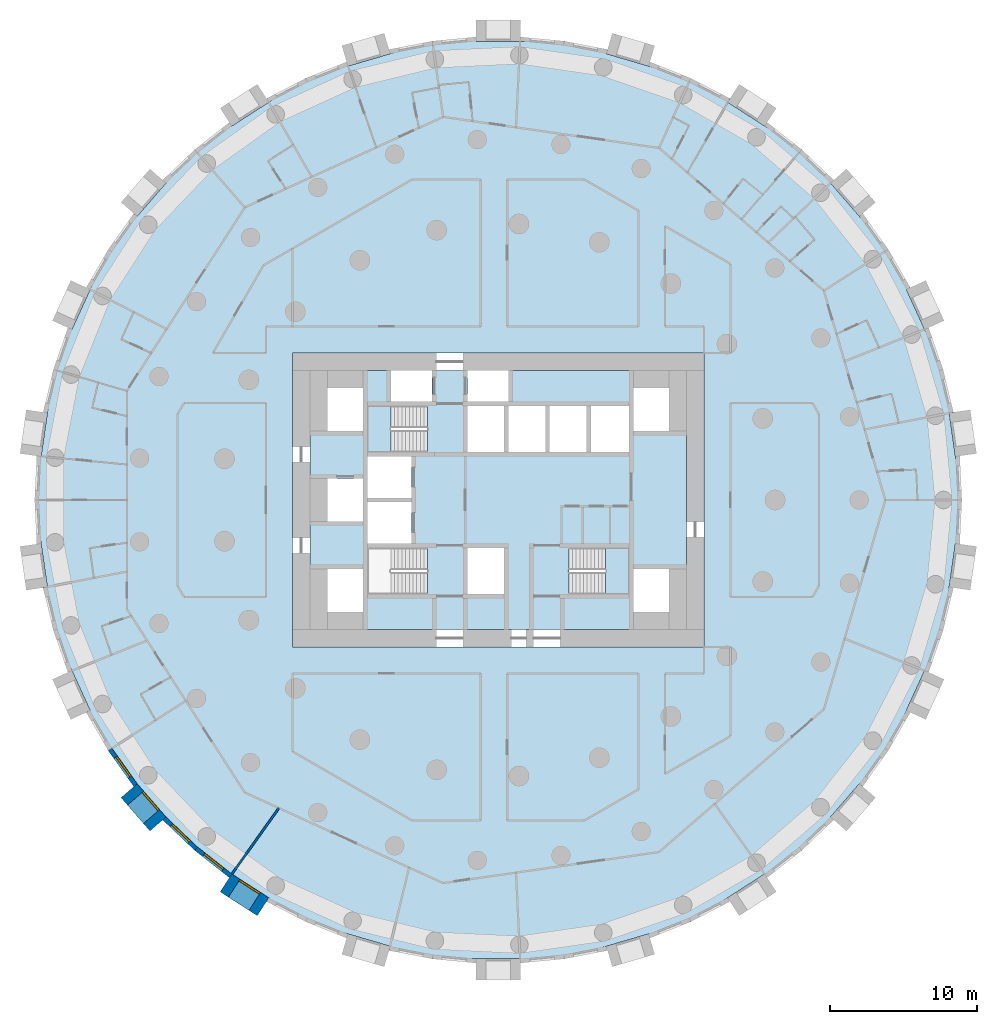
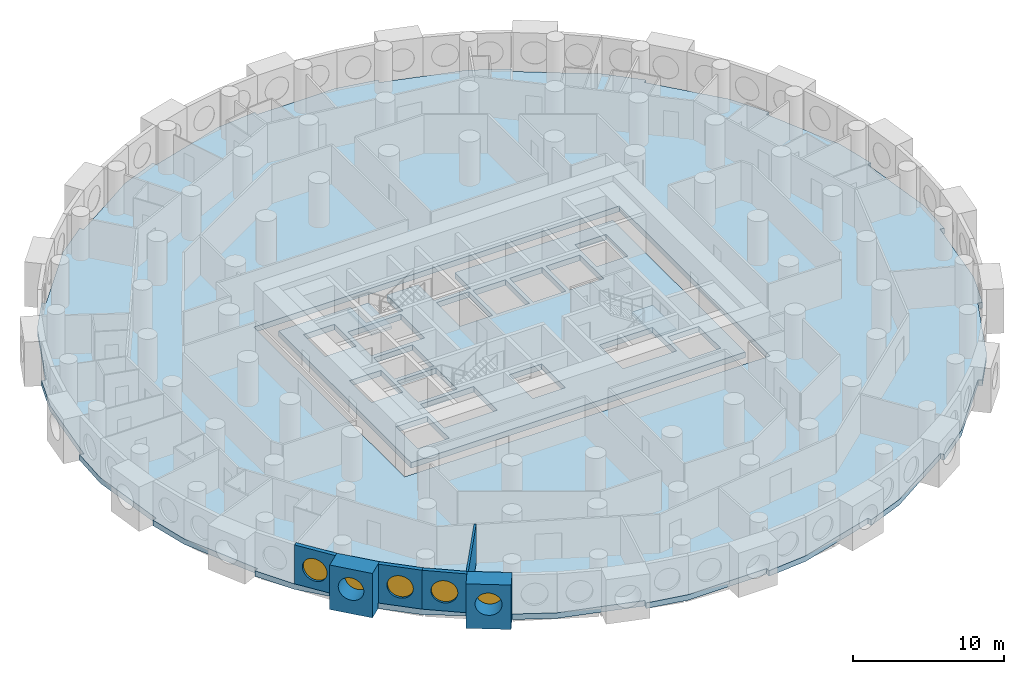
# One storey, part 2 of 12: 6 walls, 5 windows, 4 slabs, 5 openings, 2 elements without a shape of their own.
"""IFC4 building model written with IfcOpenShell, lengths in metres."""

import ifcopenshell
import ifcopenshell.guid

model = None  # the IFC model being written
_history = None  # IfcOwnerHistory: only IFC2X3 demands one
_inside = {}  # id of a spatial element -> (the spatial element, [elements in it])
_under = {}  # id of a project, library or spatial element -> (it, [spatial elements below it])
_declared = {}  # id of a project -> (the project, [libraries it declares])
_typed = {}  # id of a type object -> (the type object, [elements of that type])
_made_of = {}  # id of a material, layer set ... -> (it, [elements and type objects made of it])


def new_model(schema):
    """Start an empty IFC model of exactly this schema.

    Asked for "IFC4X3", IfcOpenShell would pick the latest addendum, in which some entities
    have other attributes; the version numbers below select the first issue.
    IFC2X3 requires an IfcOwnerHistory on every rooted entity: one is made here for all.
    """
    global model, _history
    if schema == "IFC4X3":
        model = ifcopenshell.file(schema_version=(4, 3, 0, 0))
    else:
        model = ifcopenshell.file(schema=schema)
    _inside.clear()
    _under.clear()
    _declared.clear()
    _typed.clear()
    _made_of.clear()
    _history = None
    if model.schema == "IFC2X3":
        org = make("IfcOrganization", Name="unknown")
        user = make(
            "IfcPersonAndOrganization",
            ThePerson=make("IfcPerson", FamilyName="unknown"),
            TheOrganization=org,
        )
        app = make(
            "IfcApplication",
            ApplicationDeveloper=org,
            Version="unknown",
            ApplicationFullName="unknown",
            ApplicationIdentifier="unknown",
        )
        _history = make(
            "IfcOwnerHistory",
            OwningUser=user,
            OwningApplication=app,
            ChangeAction="ADDED",
            CreationDate=0,
        )
    return model


def make(cls, **values):
    """One entity of the class cls with the attributes given. An attribute that is None is left unset."""
    return model.create_entity(
        cls, **{name: value for name, value in values.items() if value is not None}
    )


def rooted(cls, **values):
    """An entity with a GlobalId (a new one), such as an element, a storey or a relation."""
    return make(cls, GlobalId=ifcopenshell.guid.new(), OwnerHistory=_history, **values)


def si_unit(unit_type, name, prefix=None):
    """IfcSIUnit, for example si_unit("LENGTHUNIT", "METRE", prefix="MILLI")."""
    return make("IfcSIUnit", UnitType=unit_type, Prefix=prefix, Name=name)


def assignment(units):
    """IfcUnitAssignment: the units of a project."""
    return None if units is None else make("IfcUnitAssignment", Units=units)


def point(xyz):
    """IfcCartesianPoint."""
    return None if xyz is None else make("IfcCartesianPoint", Coordinates=xyz)


def direction(xyz):
    """IfcDirection."""
    return None if xyz is None else make("IfcDirection", DirectionRatios=xyz)


def frame(location, z_axis=None, x_axis=None):
    """IfcAxis2Placement3D, a coordinate frame: its origin and axes. An axis left out is left unset."""
    return make(
        "IfcAxis2Placement3D",
        Location=point(location),
        Axis=direction(z_axis),
        RefDirection=direction(x_axis),
    )


def frame_2d(location, x_axis=None):
    """IfcAxis2Placement2D, a coordinate frame in the plane: its origin and x axis."""
    return make(
        "IfcAxis2Placement2D", Location=point(location), RefDirection=direction(x_axis)
    )


def origin():
    """The frame at (0, 0, 0) with its axes left unset."""
    return frame((0.0, 0.0, 0.0))


def origin_2d():
    """The frame at (0, 0) in the plane with its x axis left unset."""
    return frame_2d((0.0, 0.0))


def place(relative_to, where):
    """IfcLocalPlacement: puts the frame where relative to a parent placement (None: the world)."""
    return make(
        "IfcLocalPlacement", PlacementRelTo=relative_to, RelativePlacement=where
    )


def context(
    kind, dimensions, precision=None, world=None, true_north=None, identifier=None
):
    """IfcGeometricRepresentationContext, for example the 3D "Model" context."""
    return make(
        "IfcGeometricRepresentationContext",
        ContextIdentifier=identifier,
        ContextType=kind,
        CoordinateSpaceDimension=dimensions,
        Precision=precision,
        WorldCoordinateSystem=world,
        TrueNorth=true_north,
    )


def subcontext(parent, identifier, kind, view, scale=None):
    """IfcGeometricRepresentationSubContext, for example "Body" below "Model"."""
    return make(
        "IfcGeometricRepresentationSubContext",
        ContextIdentifier=identifier,
        ContextType=kind,
        ParentContext=parent,
        TargetScale=scale,
        TargetView=view,
    )


def project(units=None, contexts=None):
    """IfcProject with its units and contexts."""
    return rooted(
        "IfcProject",
        Name="project",
        RepresentationContexts=contexts,
        UnitsInContext=assignment(units),
    )


def spatial(cls, under=None, at=None, **own):
    """A site, building, storey or space (cls), placed at a placement, below another one or the project."""
    s = rooted(cls, ObjectPlacement=at, **own)
    if under is not None:
        _under.setdefault(under.id(), (under, []))[1].append(s)
    return s


def polyline(points):
    """IfcPolyline through the points."""
    return make("IfcPolyline", Points=[point(p) for p in points])


def profile(cls, at=None, kind="AREA", **sizes):
    """A parametric profile (cls). Its sizes go by their IFC names, for example OverallWidth=200.0."""
    return make(cls, ProfileType=kind, Position=at, **sizes)


def rectangle(**sizes):
    """IfcRectangleProfileDef."""
    return profile("IfcRectangleProfileDef", **sizes)


def circle(**sizes):
    """IfcCircleProfileDef."""
    return profile("IfcCircleProfileDef", **sizes)


def outline(outer, holes=None, kind="AREA"):
    """IfcArbitraryClosedProfileDef: a profile drawn as a closed curve; with holes, ...WithVoids."""
    if holes is None:
        return make("IfcArbitraryClosedProfileDef", ProfileType=kind, OuterCurve=outer)
    return make(
        "IfcArbitraryProfileDefWithVoids",
        ProfileType=kind,
        OuterCurve=outer,
        InnerCurves=holes,
    )


def extrude(swept, where, along, depth):
    """IfcExtrudedAreaSolid: the profile swept, set in the frame where, extruded along a direction by depth."""
    return make(
        "IfcExtrudedAreaSolid",
        SweptArea=swept,
        Position=where,
        ExtrudedDirection=direction(along),
        Depth=depth,
    )


def shape(context_of_items, identifier, shape_type, items):
    """IfcShapeRepresentation: the items that make up one representation, for example the "Body"."""
    return make(
        "IfcShapeRepresentation",
        ContextOfItems=context_of_items,
        RepresentationIdentifier=identifier,
        RepresentationType=shape_type,
        Items=items,
    )


def material(Name=None, Category=None):
    """IfcMaterial."""
    return make("IfcMaterial", Name=Name, Category=Category)


def layer(
    of_material, thickness, ventilated=None, Name=None, Category=None, Priority=None
):
    """IfcMaterialLayer: one layer of a wall or slab, of a material (None: an air gap)."""
    return make(
        "IfcMaterialLayer",
        Material=of_material,
        LayerThickness=thickness,
        IsVentilated=ventilated,
        Name=Name,
        Category=Category,
        Priority=Priority,
    )


def layer_set(layers, Name=None):
    """IfcMaterialLayerSet."""
    return make("IfcMaterialLayerSet", MaterialLayers=layers, LayerSetName=Name)


def made_of(thing, what):
    """Note that an element or type object is made of a material, layer set ...; save() writes the relation."""
    if what is not None:
        _made_of.setdefault(what.id(), (what, []))[1].append(thing)
    return thing


def type_object(cls, material=None, **own):
    """A type object (cls), such as IfcWallType, which elements share."""
    return made_of(rooted(cls, **own), material)


def element(
    cls,
    number,
    at=None,
    inside=None,
    cuts=None,
    type_object=None,
    material=None,
    context=None,
    identifier="Body",
    shape_type=None,
    held_by="IfcProductDefinitionShape",
    body=None,
    shapes=None,
    **own,
):
    """One element of the class cls, such as IfcWall. Its Tag is "e" and its number.

    at: its placement. inside: the storey or other place that contains it. cuts: it is an
    opening in that element (IfcRelVoidsElement). A single representation is given by context,
    identifier, shape_type and body (its items); several are given by shapes. held_by: the class
    of the entity that holds the representations. save() writes the other relations.
    """
    e = rooted(cls, Tag="e%d" % number, ObjectPlacement=at, **own)
    if body is not None:
        shapes = [shape(context, identifier, shape_type, body)]
    if shapes is not None:
        e.Representation = make(held_by, Representations=shapes)
    if inside is not None:
        _inside.setdefault(inside.id(), (inside, []))[1].append(e)
    if cuts is not None:
        rooted(
            "IfcRelVoidsElement", RelatingBuildingElement=cuts, RelatedOpeningElement=e
        )
    if type_object is not None:
        _typed.setdefault(type_object.id(), (type_object, []))[1].append(e)
    return made_of(e, material)


def fill(opening, filler):
    """IfcRelFillsElement: the door or window that sits in an opening."""
    return rooted(
        "IfcRelFillsElement",
        RelatingOpeningElement=opening,
        RelatedBuildingElement=filler,
    )


def aggregate(whole, parts):
    """IfcRelAggregates: a whole, such as a stair, and the parts it consists of."""
    return rooted("IfcRelAggregates", RelatingObject=whole, RelatedObjects=parts)


def save(model, path):
    """Write the relations noted so far, then the file.

    IfcRelAggregates (storeys below a building ...), IfcRelContainedInSpatialStructure (elements
    in a storey), IfcRelDefinesByType, IfcRelAssociatesMaterial and IfcRelDeclares: one each for
    every whole, place, type object, material and project.
    """
    for whole, parts in _under.values():
        aggregate(whole, parts)
    for where, things in _inside.values():
        rooted(
            "IfcRelContainedInSpatialStructure",
            RelatedElements=things,
            RelatingStructure=where,
        )
    for kind, things in _typed.values():
        rooted("IfcRelDefinesByType", RelatedObjects=things, RelatingType=kind)
    for what, things in _made_of.values():
        rooted("IfcRelAssociatesMaterial", RelatedObjects=things, RelatingMaterial=what)
    for by, libraries in _declared.values():
        rooted("IfcRelDeclares", RelatingContext=by, RelatedDefinitions=libraries)
    model.write(path)


model = new_model("IFC4")

# Units and contexts
model_context = context("Model", 3, precision=1e-05, world=origin(), true_north=direction((0.0, 1.0)))
body_context = subcontext(model_context, "Body", "Model", "MODEL_VIEW")
ifc_project = project(units=[si_unit("LENGTHUNIT", "METRE"), si_unit("AREAUNIT", "SQUARE_METRE"), si_unit("VOLUMEUNIT", "CUBIC_METRE"), si_unit("PLANEANGLEUNIT", "RADIAN"), si_unit("MASSUNIT", "GRAM", prefix="KILO")], contexts=[model_context])

# Site, building, storey
site_placement = place(None, origin())
site = spatial("IfcSite", under=ifc_project, at=site_placement, CompositionType="ELEMENT")
building_placement = place(site_placement, origin())
building = spatial("IfcBuilding", under=site, at=building_placement, Name="Tracery Tower", CompositionType="ELEMENT")
storey_placement = place(building_placement, frame((0.0, 0.0, 107.39990234375)))
storey = spatial("IfcBuildingStorey", under=building, at=storey_placement, Name="L27", CompositionType="ELEMENT", Elevation=107.39990234375)

# Slabs
ifc_material_1 = material(Name="Concrete C60/75", Category="concrete")
ifc_layer_1 = layer(ifc_material_1, 0.449951171875)
ifc_layer_set_1 = layer_set([ifc_layer_1], Name="Core floor slab 450 C60")
slab_type_1 = type_object("IfcSlabType", Name="Core floor slab 450 C60", PredefinedType="FLOOR", material=ifc_layer_set_1)
slab_1_placement = place(storey_placement, frame((0.0, 0.0, -0.449951171875)))
element("IfcSlab", 1, at=slab_1_placement, inside=storey, type_object=slab_type_1, Name="L27 core floor 1", PredefinedType="FLOOR", context=body_context, shape_type="SweptSolid", body=[
    extrude(outline(polyline([(-12.800048828125, 8.800048828125), (-7.300048828125, 8.800048828125), (-7.300048828125, 6.699951171875), (-4.5, 6.699951171875), (-4.5, 8.800048828125), (-2.10009765625, 8.800048828125), (-2.10009765625, 6.699951171875), (0.699951171875, 6.699951171875), (0.699951171875, 8.800048828125), (12.800048828125, 8.800048828125), (12.800048828125, -8.800048828125), (-12.800048828125, -8.800048828125), (-12.800048828125, 8.800048828125)]), holes=[polyline([(11.60009765625, -7.60009765625), (11.60009765625, -4.699951171875), (9.199951171875, -4.699951171875), (9.199951171875, -7.60009765625), (11.60009765625, -7.60009765625)]), polyline([(11.60009765625, 4.699951171875), (11.60009765625, 7.60009765625), (9.199951171875, 7.60009765625), (9.199951171875, 4.699951171875), (11.60009765625, 4.699951171875)]), polyline([(4.800537109375, -3.25), (4.800537109375, -6.39990234375), (8.89990234375, -6.39990234375), (8.89990234375, -3.25), (4.800537109375, -3.25)]), polyline([(6.300048828125, 3.25), (8.89990234375, 3.25), (8.89990234375, 6.39990234375), (6.300048828125, 6.39990234375), (6.300048828125, 3.25)]), polyline([(3.5, 3.25), (6.0, 3.25), (6.0, 6.39990234375), (3.5, 6.39990234375), (3.5, 3.25)]), polyline([(3.199951171875, 3.25), (3.199951171875, 6.39990234375), (0.699951171875, 6.39990234375), (0.699951171875, 3.25), (3.199951171875, 3.25)]), polyline([(-2.10009765625, 3.25), (0.39990234375, 3.25), (0.39990234375, 6.39990234375), (-2.10009765625, 6.39990234375), (-2.10009765625, 3.25)]), polyline([(0.39990234375, -6.39990234375), (0.39990234375, -3.25), (-2.10009765625, -3.25), (-2.10009765625, -6.39990234375), (0.39990234375, -6.39990234375)]), polyline([(-4.800537109375, -3.25), (-8.89990234375, -3.25), (-8.89990234375, -6.39990234375), (-4.800537109375, -6.39990234375), (-4.800537109375, -3.25)]), polyline([(-4.800537109375, 6.39990234375), (-8.89990234375, 6.39990234375), (-8.89990234375, 3.25), (-4.800537109375, 3.25), (-4.800537109375, 6.39990234375)]), polyline([(-8.89990234375, -2.949951171875), (-5.89990234375, -2.949951171875), (-5.89990234375, -0.14990234375), (-8.89990234375, -0.14990234375), (-8.89990234375, -2.949951171875)]), polyline([(-5.89990234375, 0.14990234375), (-5.89990234375, 2.949951171875), (-8.89990234375, 2.949951171875), (-8.89990234375, 0.14990234375), (-5.89990234375, 0.14990234375)]), polyline([(-11.60009765625, 4.699951171875), (-9.199951171875, 4.699951171875), (-9.199951171875, 7.60009765625), (-11.60009765625, 7.60009765625), (-11.60009765625, 4.699951171875)]), polyline([(-9.199951171875, -7.60009765625), (-9.199951171875, -4.699951171875), (-11.60009765625, -4.699951171875), (-11.60009765625, -7.60009765625), (-9.199951171875, -7.60009765625)]), polyline([(-9.199951171875, -1.449951171875), (-9.199951171875, 1.449951171875), (-11.60009765625, 1.449951171875), (-11.60009765625, -1.449951171875), (-9.199951171875, -1.449951171875)])]), origin(), (0.0, 0.0, 1.0), 0.449951171875),
])
ifc_material_2 = material(Name="Concrete C50/60", Category="concrete")
ifc_layer_2 = layer(ifc_material_2, 0.449951171875)
ifc_layer_set_2 = layer_set([ifc_layer_2], Name="Floor slab 450")
slab_type_2 = type_object("IfcSlabType", Name="Floor slab 450", PredefinedType="FLOOR", material=ifc_layer_set_2)
slab_2_placement = place(storey_placement, frame((0.0, 0.0, -0.449951171875)))
element("IfcSlab", 2, at=slab_2_placement, inside=storey, type_object=slab_type_2, Name="Floor slab L27", PredefinedType="FLOOR", context=body_context, shape_type="SweptSolid", body=[
    extrude(outline(polyline([(31.0849609375, 2.953857421875), (31.0849609375, 2.953857421875), (30.673583984375, 5.814697265625), (30.659912109375, 5.9091796875), (30.659912109375, 5.9091796875), (30.657958984375, 5.92333984375), (30.954345703125, 5.966064453125), (30.954833984375, 5.966064453125), (30.24755859375, 8.881591796875), (28.99365234375, 11.591796875), (28.993408203125, 11.591796875), (28.74609375, 12.1337890625), (27.753173828125, 14.307861328125), (27.753173828125, 14.307861328125), (27.747314453125, 14.32080078125), (28.020263671875, 14.4453125), (26.520263671875, 17.04345703125), (24.55322265625, 19.290771484375), (24.55322265625, 19.290771484375), (22.588623046875, 21.55810546875), (22.814697265625, 21.75390625), (22.8154296875, 21.75439453125), (20.644287109375, 23.82470703125), (18.123779296875, 25.4267578125), (18.123779296875, 25.4267578125), (18.12060546875, 25.428955078125), (18.11181640625, 25.4345703125), (15.612060546875, 27.041015625), (15.612060546875, 27.041015625), (15.60009765625, 27.048583984375), (15.76220703125, 27.301025390625), (13.095703125, 28.67578125), (10.226318359375, 29.5029296875), (10.226318359375, 29.5029296875), (7.34765625, 30.34814453125), (7.43212890625, 30.6357421875), (7.43212890625, 30.635986328125), (4.486328125, 31.20361328125), (1.5, 31.18896484375), (1.5, 31.18896484375), (-1.5, 31.18896484375), (-1.5, 31.489013671875), (-4.486328125, 31.20361328125), (-7.34765625, 30.34814453125), (-7.34765625, 30.34814453125), (-10.226318359375, 29.5029296875), (-10.310791015625, 29.790771484375), (-10.310791015625, 29.790771484375), (-13.095703125, 28.67578125), (-15.60009765625, 27.048828125), (-15.60009765625, 27.048583984375), (-15.60888671875, 27.04296875), (-15.612060546875, 27.041015625), (-18.11181640625, 25.4345703125), (-18.11181640625, 25.4345703125), (-18.123779296875, 25.4267578125), (-18.285888671875, 25.6787109375), (-18.2861328125, 25.67919921875), (-20.644287109375, 23.82470703125), (-22.5888671875, 21.55810546875), (-22.588623046875, 21.55810546875), (-24.55322265625, 19.290771484375), (-24.77978515625, 19.487060546875), (-24.780029296875, 19.4873046875), (-26.520263671875, 17.04345703125), (-27.747314453125, 14.32080078125), (-27.747314453125, 14.32080078125), (-27.751708984375, 14.311279296875), (-27.753173828125, 14.307861328125), (-28.74609375, 12.1337890625), (-28.993408203125, 11.591796875), (-29.266357421875, 11.716552734375), (-30.24755859375, 8.881591796875), (-30.657958984375, 5.92333984375), (-30.657958984375, 5.92333984375), (-30.659912109375, 5.909423828125), (-30.659912109375, 5.9091796875), (-30.673583984375, 5.814697265625), (-31.0849609375, 2.953857421875), (-31.381591796875, 2.99658203125), (-31.3818359375, 2.99658203125), (-31.524658203125, 0.0), (-31.0849609375, -2.953857421875), (-31.0849609375, -2.953857421875), (-30.673583984375, -5.814697265625), (-30.659912109375, -5.9091796875), (-30.659912109375, -5.9091796875), (-30.657958984375, -5.92333984375), (-30.954345703125, -5.966064453125), (-30.954833984375, -5.966064453125), (-30.24755859375, -8.881591796875), (-28.99365234375, -11.591796875), (-28.993408203125, -11.591796875), (-28.74609375, -12.1337890625), (-27.753173828125, -14.307861328125), (-27.753173828125, -14.307861328125), (-27.747314453125, -14.32080078125), (-28.020263671875, -14.4453125), (-26.520263671875, -17.04345703125), (-24.55322265625, -19.290771484375), (-24.55322265625, -19.290771484375), (-22.588623046875, -21.55810546875), (-22.814697265625, -21.75390625), (-22.8154296875, -21.75439453125), (-20.644287109375, -23.82470703125), (-18.123779296875, -25.4267578125), (-18.123779296875, -25.4267578125), (-18.12060546875, -25.428955078125), (-18.11181640625, -25.4345703125), (-15.612060546875, -27.041015625), (-15.612060546875, -27.041015625), (-15.60009765625, -27.048583984375), (-15.76220703125, -27.301025390625), (-13.095703125, -28.67578125), (-10.226318359375, -29.5029296875), (-10.226318359375, -29.5029296875), (-7.34765625, -30.34814453125), (-7.43212890625, -30.6357421875), (-7.43212890625, -30.635986328125), (-4.486328125, -31.20361328125), (-1.5, -31.18896484375), (-1.5, -31.18896484375), (1.5, -31.18896484375), (1.5, -31.489013671875), (4.486328125, -31.20361328125), (7.34765625, -30.34814453125), (7.34765625, -30.34814453125), (10.226318359375, -29.5029296875), (10.310791015625, -29.790771484375), (10.310791015625, -29.790771484375), (13.095703125, -28.67578125), (15.60009765625, -27.048828125), (15.60009765625, -27.048583984375), (15.60888671875, -27.04296875), (15.612060546875, -27.041015625), (18.11181640625, -25.4345703125), (18.11181640625, -25.4345703125), (18.123779296875, -25.4267578125), (18.285888671875, -25.6787109375), (18.2861328125, -25.67919921875), (20.644287109375, -23.82470703125), (22.5888671875, -21.55810546875), (22.588623046875, -21.55810546875), (24.55322265625, -19.290771484375), (24.77978515625, -19.487060546875), (24.780029296875, -19.4873046875), (26.520263671875, -17.04345703125), (27.747314453125, -14.32080078125), (27.747314453125, -14.32080078125), (27.751708984375, -14.311279296875), (27.753173828125, -14.307861328125), (28.74609375, -12.1337890625), (28.993408203125, -11.591796875), (29.266357421875, -11.716552734375), (30.24755859375, -8.881591796875), (30.657958984375, -5.92333984375), (30.657958984375, -5.92333984375), (30.659912109375, -5.909423828125), (30.659912109375, -5.9091796875), (30.673583984375, -5.814697265625), (31.0849609375, -2.953857421875), (31.381591796875, -2.99658203125), (31.3818359375, -2.99658203125), (31.524658203125, 0.0), (31.0849609375, 2.953857421875)]), holes=[polyline([(-14.0, -10.0), (14.0, -10.0), (14.0, 10.0), (-14.0, 10.0), (-14.0, -10.0)])]), origin(), (0.0, 0.0, 1.0), 0.449951171875),
])

# Stair, slab
ifc_material_3 = material(Name="Concrete C32/40", Category="concrete")
stair_type = type_object("IfcStairType", Name="Core stair 22 risers", PredefinedType="HALF_TURN_STAIR", material=ifc_material_3)
stair_1_placement = place(storey_placement, origin())
stair_1 = element("IfcStair", 3, at=stair_1_placement, inside=storey, type_object=stair_type, Name="L27 stair ST3", PredefinedType="HALF_TURN_STAIR")
ifc_material_4 = material(Name="Concrete C32/40", Category="concrete")
ifc_layer_3 = layer(ifc_material_4, 0.199951171875)
ifc_layer_set_3 = layer_set([ifc_layer_3], Name="Stair landing slab 200")
slab_type_3 = type_object("IfcSlabType", Name="Stair landing slab 200", PredefinedType="LANDING", material=ifc_layer_set_3)
slab_3_placement = place(storey_placement, frame((0.0, 0.0, 1.60009765625)))
slab_3 = element("IfcSlab", 4, at=slab_3_placement, type_object=slab_type_3, Name="ST3 landing 1", PredefinedType="LANDING", context=body_context, shape_type="SweptSolid", body=[
    extrude(outline(polyline([(-7.29931640625, 6.39990234375), (-8.89990234375, 6.39990234375), (-8.89990234375, 3.25), (-7.29931640625, 3.25), (-7.29931640625, 6.39990234375)])), origin(), (0.0, 0.0, 1.0), 0.199951171875),
])
aggregate(stair_1, [slab_3])

stair_2_placement = place(storey_placement, origin())
stair_2 = element("IfcStair", 5, at=stair_2_placement, inside=storey, type_object=stair_type, Name="L27 stair ST2", PredefinedType="HALF_TURN_STAIR")
slab_4_placement = place(storey_placement, frame((0.0, 0.0, 1.60009765625)))
slab_4 = element("IfcSlab", 6, at=slab_4_placement, type_object=slab_type_3, Name="ST2 landing 1", PredefinedType="LANDING", context=body_context, shape_type="SweptSolid", body=[
    extrude(outline(polyline([(7.29931640625, -6.39990234375), (8.89990234375, -6.39990234375), (8.89990234375, -3.25), (7.29931640625, -3.25), (7.29931640625, -6.39990234375)])), origin(), (0.0, 0.0, 1.0), 0.199951171875),
])
aggregate(stair_2, [slab_4])

# Wall, opening, window
ifc_material_5 = material(Name="Precast concrete C50/60", Category="concrete")
ifc_layer_4 = layer(ifc_material_5, 1.449951171875)
ifc_layer_set_4 = layer_set([ifc_layer_4], Name="Deep-set bay unit 3000 x 3600, slab edge 450")
wall_type_1 = type_object("IfcWallType", Name="Deep-set bay unit 3000 x 3600, slab edge 450", PredefinedType="ELEMENTEDWALL", material=ifc_layer_set_4)
wall_1_placement = place(storey_placement, frame((-25.101318359375, -19.765625, -0.449951171875), z_axis=(0.0, 0.0, 1.0), x_axis=(0.654890259022, -0.75572398972, 0.0)))
wall_1 = element("IfcWall", 7, at=wall_1_placement, inside=storey, type_object=wall_type_1, Name="Deep-set bay unit 41 at L27", PredefinedType="ELEMENTEDWALL", context=body_context, shape_type="SweptSolid", body=[
    extrude(rectangle(XDim=3.0, YDim=1.449951171875, at=frame_2d((1.5, 0.0))), origin(), (0.0, 0.0, 1.0), 3.60009765625),
])
opening_1_placement = place(wall_1_placement, frame((1.5, 0.0, 2.0)))
opening_1 = element("IfcOpeningElement", 8, at=opening_1_placement, cuts=wall_1, Name="Opening WN1", PredefinedType="OPENING", context=body_context, shape_type="SweptSolid", body=[
    extrude(circle(Radius=0.9000244140625, at=origin_2d()), frame((0.0, 0.73486328125, 0.0), z_axis=(0.0, -1.0, 0.0), x_axis=(1.0, 0.0, 0.0)), (0.0, 0.0, 1.0), 1.469970703125),
])
ifc_material_6 = material(Name="Aluminium frame with tinted double glazing", Category="aluminium")
window_type = type_object("IfcWindowType", Name="Round window 1800", PartitioningType="SINGLE_PANEL", PredefinedType="WINDOW", material=ifc_material_6)
window_1_placement = place(opening_1_placement, origin())
window_1 = element("IfcWindow", 9, at=window_1_placement, inside=storey, type_object=window_type, Name="Round window 41 at L27", OverallHeight=1.800048828125, OverallWidth=1.800048828125, PartitioningType="SINGLE_PANEL", PredefinedType="WINDOW", context=body_context, shape_type="SweptSolid", body=[
    extrude(circle(Radius=0.9000244140625, at=origin_2d()), frame((0.0, 0.69482421875, 0.0), z_axis=(0.0, -1.0, 0.0), x_axis=(1.0, 0.0, 0.0)), (0.0, 0.0, 1.0), 0.10009765625),
])
fill(opening_1, window_1)

wall_2_placement = place(storey_placement, frame((-18.515869140625, -26.03662109375, -0.449951171875), z_axis=(0.0, 0.0, 1.0), x_axis=(0.841223422347, -0.540687667415, 0.0)))
wall_2 = element("IfcWall", 10, at=wall_2_placement, inside=storey, type_object=wall_type_1, Name="Deep-set bay unit 44 at L27", PredefinedType="ELEMENTEDWALL", context=body_context, shape_type="SweptSolid", body=[
    extrude(rectangle(XDim=3.0, YDim=1.449951171875, at=frame_2d((1.5, 0.0))), origin(), (0.0, 0.0, 1.0), 3.60009765625),
])
opening_2_placement = place(wall_2_placement, frame((1.5, 0.0, 2.0)))
opening_2 = element("IfcOpeningElement", 11, at=opening_2_placement, cuts=wall_2, Name="Opening WN1", PredefinedType="OPENING", context=body_context, shape_type="SweptSolid", body=[
    extrude(circle(Radius=0.9000244140625, at=origin_2d()), frame((0.0, 0.73486328125, 0.0), z_axis=(0.0, -1.0, 0.0), x_axis=(1.0, 0.0, 0.0)), (0.0, 0.0, 1.0), 1.469970703125),
])
window_2_placement = place(opening_2_placement, origin())
window_2 = element("IfcWindow", 12, at=window_2_placement, inside=storey, type_object=window_type, Name="Round window 44 at L27", OverallHeight=1.800048828125, OverallWidth=1.800048828125, PartitioningType="SINGLE_PANEL", PredefinedType="WINDOW", context=body_context, shape_type="SweptSolid", body=[
    extrude(circle(Radius=0.9000244140625, at=origin_2d()), frame((0.0, 0.69482421875, 0.0), z_axis=(0.0, -1.0, 0.0), x_axis=(1.0, 0.0, 0.0)), (0.0, 0.0, 1.0), 0.10009765625),
])
fill(opening_2, window_2)

ifc_material_7 = material(Name="Precast concrete C50/60", Category="concrete")
ifc_layer_5 = layer(ifc_material_7, 0.300048828125)
ifc_layer_set_5 = layer_set([ifc_layer_5], Name="Facade panel 3000 x 3150")
wall_type_2 = type_object("IfcWallType", Name="Facade panel 3000 x 3150", PredefinedType="SOLIDWALL", material=ifc_layer_set_5)
wall_3_placement = place(storey_placement, frame((-26.393798828125, -16.96240234375, 0.0), z_axis=(0.0, 0.0, 1.0), x_axis=(0.580059407678, -0.81457417315, 0.0)))
wall_3 = element("IfcWall", 13, at=wall_3_placement, inside=storey, type_object=wall_type_2, Name="Facade panel 40 at L27", PredefinedType="SOLIDWALL", context=body_context, shape_type="SweptSolid", body=[
    extrude(rectangle(XDim=2.9794921875, YDim=0.300048828125, at=frame_2d((1.48974609375, 0.0))), origin(), (0.0, 0.0, 1.0), 3.150146484375),
])
opening_3_placement = place(wall_3_placement, frame((1.48974609375, 0.0, 1.5498046875)))
opening_3 = element("IfcOpeningElement", 14, at=opening_3_placement, cuts=wall_3, Name="Opening WN1", PredefinedType="OPENING", context=body_context, shape_type="SweptSolid", body=[
    extrude(circle(Radius=0.9000244140625, at=origin_2d()), frame((0.0, 0.159912109375, 0.0), z_axis=(0.0, -1.0, 0.0), x_axis=(1.0, 0.0, 0.0)), (0.0, 0.0, 1.0), 0.320068359375),
])
window_3_placement = place(opening_3_placement, origin())
window_3 = element("IfcWindow", 15, at=window_3_placement, inside=storey, type_object=window_type, Name="Round window 40 at L27", OverallHeight=1.800048828125, OverallWidth=1.800048828125, PartitioningType="SINGLE_PANEL", PredefinedType="WINDOW", context=body_context, shape_type="SweptSolid", body=[
    extrude(circle(Radius=0.9000244140625, at=origin_2d()), frame((0.0, 0.1201171875, 0.0), z_axis=(0.0, -1.0, 0.0), x_axis=(1.0, 0.0, 0.0)), (0.0, 0.0, 1.0), 0.10009765625),
])
fill(opening_3, window_3)

wall_4_placement = place(storey_placement, frame((-22.702392578125, -21.655029296875, 0.0), z_axis=(0.0, 0.0, 1.0), x_axis=(0.723744206617, -0.690068346896, 0.0)))
wall_4 = element("IfcWall", 16, at=wall_4_placement, inside=storey, type_object=wall_type_2, Name="Facade panel 42 at L27", PredefinedType="SOLIDWALL", context=body_context, shape_type="SweptSolid", body=[
    extrude(rectangle(XDim=2.979736328125, YDim=0.300048828125, at=frame_2d((1.48974609375, 0.0))), origin(), (0.0, 0.0, 1.0), 3.150146484375),
])
opening_4_placement = place(wall_4_placement, frame((1.48974609375, 0.0, 1.5498046875)))
opening_4 = element("IfcOpeningElement", 17, at=opening_4_placement, cuts=wall_4, Name="Opening WN1", PredefinedType="OPENING", context=body_context, shape_type="SweptSolid", body=[
    extrude(circle(Radius=0.9000244140625, at=origin_2d()), frame((0.0, 0.159912109375, 0.0), z_axis=(0.0, -1.0, 0.0), x_axis=(1.0, 0.0, 0.0)), (0.0, 0.0, 1.0), 0.320068359375),
])
window_4_placement = place(opening_4_placement, origin())
window_4 = element("IfcWindow", 18, at=window_4_placement, inside=storey, type_object=window_type, Name="Round window 42 at L27", OverallHeight=1.800048828125, OverallWidth=1.800048828125, PartitioningType="SINGLE_PANEL", PredefinedType="WINDOW", context=body_context, shape_type="SweptSolid", body=[
    extrude(circle(Radius=0.9000244140625, at=origin_2d()), frame((0.0, 0.1201171875, 0.0), z_axis=(0.0, -1.0, 0.0), x_axis=(1.0, 0.0, 0.0)), (0.0, 0.0, 1.0), 0.10009765625),
])
fill(opening_4, window_4)

wall_5_placement = place(storey_placement, frame((-20.5458984375, -23.711181640625, 0.0), z_axis=(0.0, 0.0, 1.0), x_axis=(0.786045331304, -0.618168858108, 0.0)))
wall_5 = element("IfcWall", 19, at=wall_5_placement, inside=storey, type_object=wall_type_2, Name="Facade panel 43 at L27", PredefinedType="SOLIDWALL", context=body_context, shape_type="SweptSolid", body=[
    extrude(rectangle(XDim=2.979736328125, YDim=0.300048828125, at=frame_2d((1.48974609375, 0.0))), origin(), (0.0, 0.0, 1.0), 3.150146484375),
])
opening_5_placement = place(wall_5_placement, frame((1.48974609375, 0.0, 1.5498046875)))
opening_5 = element("IfcOpeningElement", 20, at=opening_5_placement, cuts=wall_5, Name="Opening WN1", PredefinedType="OPENING", context=body_context, shape_type="SweptSolid", body=[
    extrude(circle(Radius=0.9000244140625, at=origin_2d()), frame((0.0, 0.159912109375, 0.0), z_axis=(0.0, -1.0, 0.0), x_axis=(1.0, 0.0, 0.0)), (0.0, 0.0, 1.0), 0.320068359375),
])
window_5_placement = place(opening_5_placement, origin())
window_5 = element("IfcWindow", 21, at=window_5_placement, inside=storey, type_object=window_type, Name="Round window 43 at L27", OverallHeight=1.800048828125, OverallWidth=1.800048828125, PartitioningType="SINGLE_PANEL", PredefinedType="WINDOW", context=body_context, shape_type="SweptSolid", body=[
    extrude(circle(Radius=0.9000244140625, at=origin_2d()), frame((0.0, 0.1201171875, 0.0), z_axis=(0.0, -1.0, 0.0), x_axis=(1.0, 0.0, 0.0)), (0.0, 0.0, 1.0), 0.10009765625),
])
fill(opening_5, window_5)

# Wall
ifc_material_8 = material(Name="Plasterboard on steel studs", Category="steel")
ifc_layer_6 = layer(ifc_material_8, 0.14990234375)
ifc_layer_set_6 = layer_set([ifc_layer_6], Name="Partition 150 acoustic unit wall")
wall_type_3 = type_object("IfcWallType", Name="Partition 150 acoustic unit wall", PredefinedType="PARTITIONING", material=ifc_layer_set_6)
wall_6_placement = place(storey_placement, frame((-18.112060546875, -25.43505859375, 0.0), z_axis=(0.0, 0.0, 1.0), x_axis=(0.580004598464, 0.81461320009, 0.0)))
element("IfcWall", 22, at=wall_6_placement, inside=storey, type_object=wall_type_3, Name="Unit wall RA8-112", PredefinedType="PARTITIONING", context=body_context, shape_type="SweptSolid", body=[
    extrude(rectangle(XDim=5.507080078125, YDim=0.14990234375, at=frame_2d((2.75341796875, 0.0))), origin(), (0.0, 0.0, 1.0), 3.150146484375),
])

save(model, "model.ifc")
